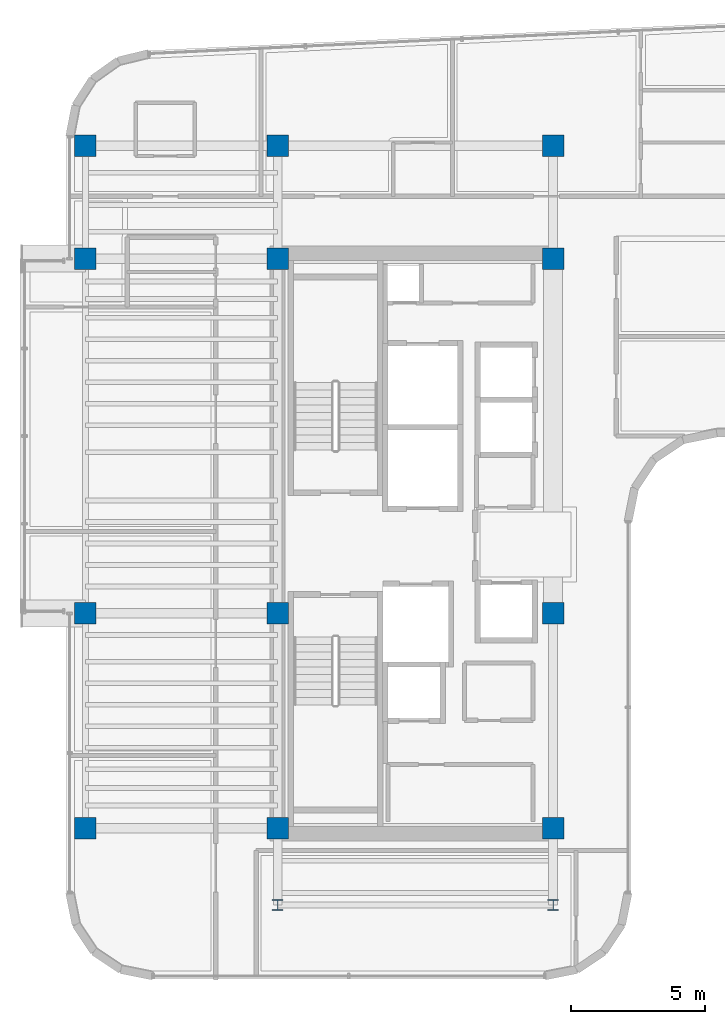
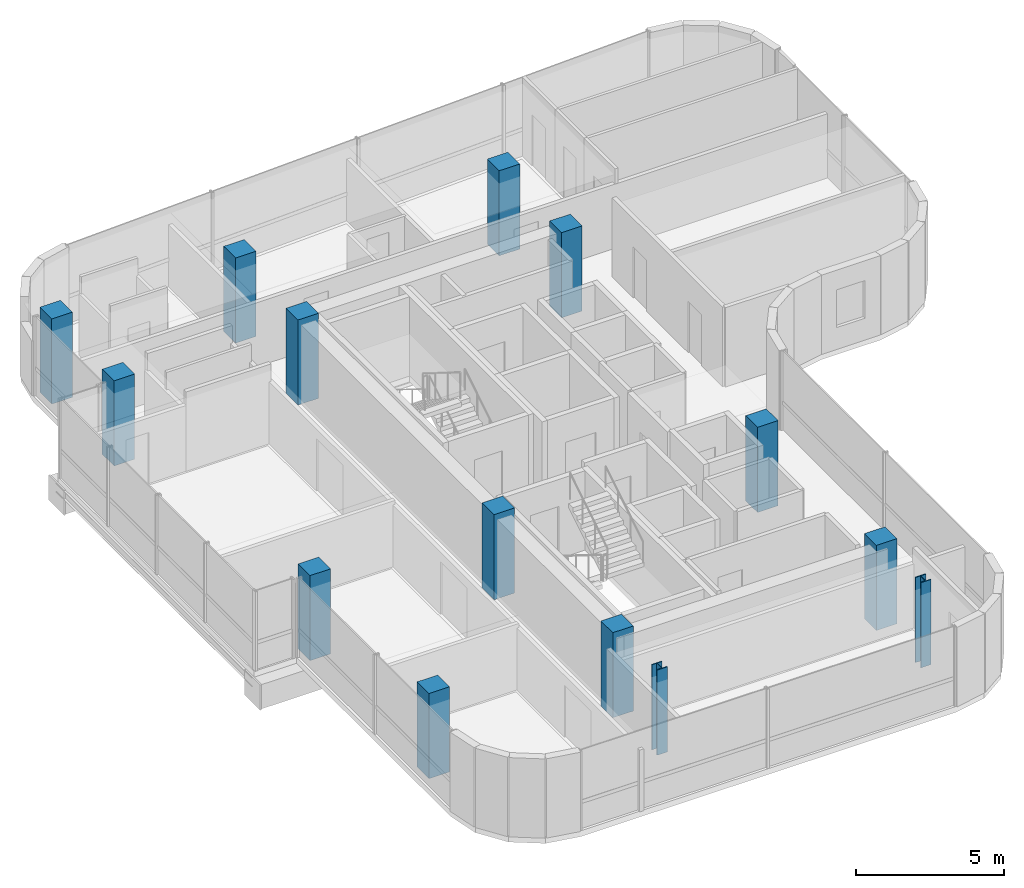
# One storey, part 1 of 18: 14 columns.
"""IFC4 building model written with IfcOpenShell, lengths in metres."""

from ifc_helpers import new_model, si_unit, direction, frame, origin, origin_2d, place, context, subcontext, project, spatial, rectangle, i_section, extrude, source, transform, mapped, material, material_profile, profile_set, type_object, element, save


model = new_model("IFC4")

# Units and contexts
model_context = context("Model", 3, precision=1e-05, world=origin(), true_north=direction((0.0, 1.0)))
body_context = subcontext(model_context, "Body", "Model", "MODEL_VIEW")
ifc_project = project(units=[si_unit("LENGTHUNIT", "METRE"), si_unit("AREAUNIT", "SQUARE_METRE"), si_unit("VOLUMEUNIT", "CUBIC_METRE"), si_unit("PLANEANGLEUNIT", "RADIAN"), si_unit("MASSUNIT", "GRAM", prefix="KILO")], contexts=[model_context])

# Site, building, storey
site_placement = place(None, origin())
site = spatial("IfcSite", under=ifc_project, at=site_placement, CompositionType="ELEMENT")
building_placement = place(site_placement, origin())
building = spatial("IfcBuilding", under=site, at=building_placement, Name="Valdorenza Pilgrim Sanctuary Tower", CompositionType="ELEMENT")
storey_placement = place(building_placement, frame((0.0, 0.0, 247.5)))
storey = spatial("IfcBuildingStorey", under=building, at=storey_placement, Name="L64", CompositionType="ELEMENT", Elevation=247.5)

# Columns
ifc_material_1 = material(Name="Concrete C50/60", Category="concrete")
ifc_material_profile_1 = material_profile(ifc_material_1, rectangle(XDim=0.800048828125, YDim=0.800048828125, at=origin_2d()), Name="RC 800x800")
ifc_profile_set_1 = profile_set([ifc_material_profile_1], Name="Concrete C50/60")
column_type_1 = type_object("IfcColumnType", Name="COL-Z4B-800", PredefinedType="COLUMN", material=ifc_profile_set_1)
shared_shape_1 = source(origin(), body_context, "Body", "SweptSolid", [
    extrude(rectangle(XDim=0.800048828125, YDim=0.800048828125, at=origin_2d()), origin(), (0.0, 0.0, 1.0), 3.5),
])
for number, where, z_axis, x_axis, name in (
    (1, (-29.800048828125, -10.60009765625, 0.0), (0.0, 0.0, 1.0), (1.0, 0.0, 0.0), "L64 Perimeter Column WA-W-S1"),
    (2, (-22.64990234375, -10.60009765625, 0.0), (0.0, 0.0, 1.0), (1.0, 0.0, 0.0), "L64 Column CA-W-S1"),
    (3, (-12.39990234375, -10.60009765625, 0.0), (0.0, 0.0, 1.0), (1.0, 0.0, 0.0), "L64 Column CA-E-S1"),
    (4, (-29.800048828125, -2.60009765625, 0.0), (0.0, 0.0, 1.0), (1.0, 0.0, 0.0), "L64 Perimeter Column WA-W-M0"),
    (5, (-22.64990234375, -2.60009765625, 0.0), (0.0, 0.0, 1.0), (1.0, 0.0, 0.0), "L64 Column CA-W-M0"),
    (6, (-12.39990234375, -2.60009765625, 0.0), (0.0, 0.0, 1.0), (1.0, 0.0, 0.0), "L64 Column CA-E-M0"),
    (7, (-29.800048828125, 10.60009765625, 0.0), (0.0, 0.0, 1.0), (1.0, 0.0, 0.0), "L64 Perimeter Column WA-W-N1"),
    (8, (-22.64990234375, 10.60009765625, 0.0), (0.0, 0.0, 1.0), (1.0, 0.0, 0.0), "L64 Column CA-W-N1"),
    (9, (-12.39990234375, 10.60009765625, 0.0), (0.0, 0.0, 1.0), (1.0, 0.0, 0.0), "L64 Column CA-E-N1"),
    (10, (-29.800048828125, 14.800048828125, 0.0), (0.0, 0.0, 1.0), (1.0, 0.0, 0.0), "L64 Perimeter Column WA-W-N2"),
    (11, (-22.64990234375, 14.800048828125, 0.0), (0.0, 0.0, 1.0), (1.0, 0.0, 0.0), "L64 Column CA-W-N2"),
    (12, (-12.39990234375, 14.800048828125, 0.0), (0.0, 0.0, 1.0), (1.0, 0.0, 0.0), "L64 Column CA-E-N2"),
):
    element("IfcColumn", number, at=place(storey_placement, frame(where, z_axis=z_axis, x_axis=x_axis)), inside=storey, type_object=column_type_1, Name=name, PredefinedType="COLUMN", context=body_context, shape_type="MappedRepresentation", body=[
        mapped(shared_shape_1, transform((0.0, 0.0, 0.0), x_axis=(1.0, 0.0, 0.0), y_axis=(0.0, 1.0, 0.0), z_axis=(0.0, 0.0, 1.0), scale=1.0)),
    ])
ifc_material_2 = material(Name="Steel ASTM A992 Grade 50", Category="steel")
ifc_material_profile_2 = material_profile(ifc_material_2, i_section(OverallWidth=0.40087890625, OverallDepth=0.39892578125, WebThickness=0.02490234375, FlangeThickness=0.03955078125, at=origin_2d()), Name="W14X211")
ifc_profile_set_2 = profile_set([ifc_material_profile_2], Name="Steel ASTM A992 Grade 50")
column_type_2 = type_object("IfcColumnType", Name="COL-STL-W211", PredefinedType="COLUMN", material=ifc_profile_set_2)
shared_shape_2 = source(origin(), body_context, "Body", "SweptSolid", [
    extrude(i_section(OverallWidth=0.40087890625, OverallDepth=0.39892578125, WebThickness=0.02490234375, FlangeThickness=0.03955078125, at=origin_2d()), origin(), (0.0, 0.0, 1.0), 3.5),
])
for number, where, z_axis, x_axis, name in (
    (13, (-22.64990234375, -13.449951171875, 0.0), (0.0, 0.0, 1.0), (1.0, 0.0, 0.0), "L64 Column WA-S-W"),
    (14, (-12.39990234375, -13.449951171875, 0.0), (0.0, 0.0, 1.0), (1.0, 0.0, 0.0), "L64 Column WA-S-E"),
):
    element("IfcColumn", number, at=place(storey_placement, frame(where, z_axis=z_axis, x_axis=x_axis)), inside=storey, type_object=column_type_2, Name=name, PredefinedType="COLUMN", context=body_context, shape_type="MappedRepresentation", body=[
        mapped(shared_shape_2, transform((0.0, 0.0, 0.0), x_axis=(1.0, 0.0, 0.0), y_axis=(0.0, 1.0, 0.0), z_axis=(0.0, 0.0, 1.0), scale=1.0)),
    ])

save(model, "model.ifc")
